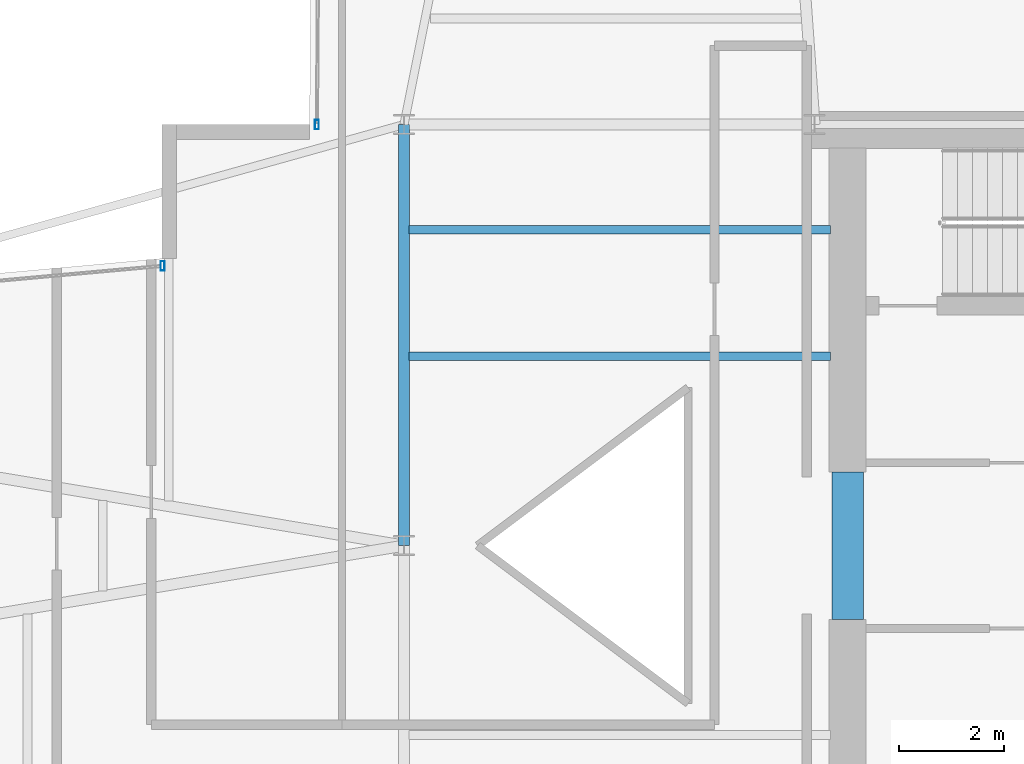
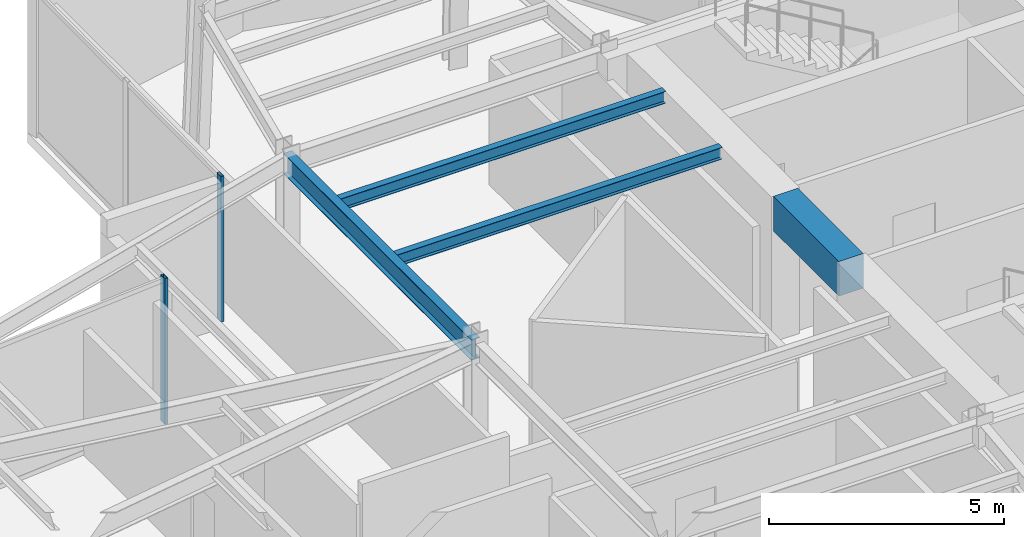
# One storey, part 11 of 23: 4 beams, 2 members, 2 elements without a shape of their own.
"""IFC4 building model written with IfcOpenShell, lengths in metres."""

from ifc_helpers import new_model, si_unit, direction, frame, origin, origin_2d, place, context, subcontext, project, spatial, rectangle, hollow_rectangle, i_section, extrude, material, layer, layer_set, material_profile, profile_set, type_object, element, aggregate, save


model = new_model("IFC4")

# Units and contexts
model_context = context("Model", 3, precision=1e-05, world=origin(), true_north=direction((0.0, 1.0)))
body_context = subcontext(model_context, "Body", "Model", "MODEL_VIEW")
ifc_project = project(units=[si_unit("LENGTHUNIT", "METRE"), si_unit("AREAUNIT", "SQUARE_METRE"), si_unit("VOLUMEUNIT", "CUBIC_METRE"), si_unit("PLANEANGLEUNIT", "RADIAN"), si_unit("MASSUNIT", "GRAM", prefix="KILO")], contexts=[model_context])

# Site, building, storey
site_placement = place(None, origin())
site = spatial("IfcSite", under=ifc_project, at=site_placement, CompositionType="ELEMENT")
building_placement = place(site_placement, origin())
building = spatial("IfcBuilding", under=site, at=building_placement, Name="Veymaron Broadcast Tower", CompositionType="ELEMENT")
storey_placement = place(building_placement, frame((0.0, 0.0, 199.949951171875)))
storey = spatial("IfcBuildingStorey", under=building, at=storey_placement, Name="L46", CompositionType="ELEMENT", Elevation=199.949951171875)

# Beams
ifc_material_1 = material(Name="Concrete C60/75", Category="concrete")
ifc_material_profile_1 = material_profile(ifc_material_1, rectangle(XDim=0.60009765625, YDim=0.89990234375, at=origin_2d()), Name="RC600X900")
ifc_profile_set_1 = profile_set([ifc_material_profile_1], Name="Concrete C60/75")
beam_type_1 = type_object("IfcBeamType", Name="BM-CB2", PredefinedType="LINTEL", material=ifc_profile_set_1)
beam_1_placement = place(storey_placement, frame((39.6298828125, 22.60009765625, 3.340087890625), z_axis=(0.0, 1.0, 0.0), x_axis=(-1.0, 0.0, 0.0)))
element("IfcBeam", 1, at=beam_1_placement, inside=storey, type_object=beam_type_1, Name="L46 Core Wall west coupling beam", PredefinedType="LINTEL", context=body_context, shape_type="SweptSolid", body=[
    extrude(rectangle(XDim=0.60009765625, YDim=0.89990234375, at=origin_2d()), origin(), (0.0, 0.0, 1.0), 2.7998046875),
])
ifc_material_2 = material(Name="Structural steel ASTM A992 Gr 50", Category="steel")
ifc_material_profile_2 = material_profile(ifc_material_2, i_section(OverallWidth=0.2099609375, OverallDepth=0.537109375, WebThickness=0.010986328125, FlangeThickness=0.017333984375, at=origin_2d()), Name="W530X101")
ifc_profile_set_2 = profile_set([ifc_material_profile_2], Name="Structural steel ASTM A992 Gr 50")
beam_type_2 = type_object("IfcBeamType", Name="BM-FG3", PredefinedType="BEAM", material=ifc_profile_set_2)
beam_2_placement = place(storey_placement, frame((31.199951171875, 24.0, 3.521484375), z_axis=(0.0, 1.0, 0.0), x_axis=(-1.0, 0.0, 0.0)))
element("IfcBeam", 2, at=beam_2_placement, inside=storey, type_object=beam_type_2, Name="L46 primary structural floor girder", PredefinedType="BEAM", context=body_context, shape_type="SweptSolid", body=[
    extrude(i_section(OverallWidth=0.2099609375, OverallDepth=0.537109375, WebThickness=0.010986328125, FlangeThickness=0.017333984375, at=origin_2d()), origin(), (0.0, 0.0, 1.0), 8.0),
])
ifc_material_profile_3 = material_profile(ifc_material_2, i_section(OverallWidth=0.1650390625, OverallDepth=0.31005859375, WebThickness=0.005859375, FlangeThickness=0.009765625, at=origin_2d()), Name="W310X39")
ifc_profile_set_3 = profile_set([ifc_material_profile_3], Name="Structural steel ASTM A992 Gr 50")
beam_type_3 = type_object("IfcBeamType", Name="BM-JS3", PredefinedType="JOIST", material=ifc_profile_set_3)
for number, where, z_axis, x_axis, name in (
    (3, (31.300048828125, 27.60009765625, 3.635009765625), (1.0, 0.0, 0.0), (0.0, 1.0, 0.0), "L46 Hub secondary joist 3"),
    (4, (31.300048828125, 30.0, 3.635009765625), (1.0, 0.0, 0.0), (0.0, 1.0, 0.0), "L46 Hub secondary joist 4"),
):
    element("IfcBeam", number, at=place(storey_placement, frame(where, z_axis=z_axis, x_axis=x_axis)), inside=storey, type_object=beam_type_3, Name=name, PredefinedType="JOIST", context=body_context, shape_type="SweptSolid", body=[
        extrude(i_section(OverallWidth=0.1650390625, OverallDepth=0.31005859375, WebThickness=0.005859375, FlangeThickness=0.009765625, at=origin_2d()), origin(), (0.0, 0.0, 1.0), 8.0),
    ])

# Curtain wall, member
ifc_material_3 = material(Name="Anodised aluminium AA 6063-T6 and laminated low-E dark glass", Category="aluminium")
ifc_layer = layer(ifc_material_3, 0.179931640625)
ifc_layer_set = layer_set([ifc_layer], Name="Anodised aluminium AA 6063-T6 and laminated low-E dark glass")
curtain_wall_type = type_object("IfcCurtainWallType", Name="CW-SYS-05", PredefinedType="NOTDEFINED", material=ifc_layer_set)
curtain_wall_1_placement = place(storey_placement, origin())
curtain_wall_1 = element("IfcCurtainWall", 5, at=curtain_wall_1_placement, inside=storey, type_object=curtain_wall_type, Name="L46 dark-glass curtain wall CW-L46-E8-1", PredefinedType="NOTDEFINED")
ifc_material_4 = material(Name="Anodised aluminium AA 6063-T6", Category="aluminium")
ifc_material_profile_4 = material_profile(ifc_material_4, hollow_rectangle(XDim=0.074951171875, YDim=0.179931640625, WallThickness=0.0048828125, at=origin_2d()), Name="AL180X75X5")
ifc_profile_set_4 = profile_set([ifc_material_profile_4], Name="Anodised aluminium AA 6063-T6")
member_type = type_object("IfcMemberType", Name="CW-MUL-02", PredefinedType="MULLION", material=ifc_profile_set_4)
member_1_placement = place(storey_placement, frame((29.545654296875, 31.9990234375, 0.0), z_axis=(0.0, 0.0, 1.0), x_axis=(1.0, 0.0, 0.0)))
member_1 = element("IfcMember", 6, at=member_1_placement, type_object=member_type, Name="CW-L46-E8-1 mullion 2", PredefinedType="MULLION", context=body_context, shape_type="SweptSolid", body=[
    extrude(hollow_rectangle(XDim=0.074951171875, YDim=0.179931640625, WallThickness=0.0048828125, at=origin_2d()), origin(), (0.0, 0.0, 1.0), 3.7900390625),
])
aggregate(curtain_wall_1, [member_1])

curtain_wall_2_placement = place(storey_placement, origin())
curtain_wall_2 = element("IfcCurtainWall", 7, at=curtain_wall_2_placement, inside=storey, type_object=curtain_wall_type, Name="L46 dark-glass curtain wall CW-L46-E11-1", PredefinedType="NOTDEFINED")
member_2_placement = place(storey_placement, frame((26.61279296875, 29.315185546875, 0.0), z_axis=(0.0, 0.0, 1.0), x_axis=(1.0, 0.0, 0.0)))
member_2 = element("IfcMember", 8, at=member_2_placement, type_object=member_type, Name="CW-L46-E11-1 mullion 0", PredefinedType="MULLION", context=body_context, shape_type="SweptSolid", body=[
    extrude(hollow_rectangle(XDim=0.074951171875, YDim=0.179931640625, WallThickness=0.0048828125, at=origin_2d()), origin(), (0.0, 0.0, 1.0), 3.7900390625),
])
aggregate(curtain_wall_2, [member_2])

save(model, "model.ifc")
